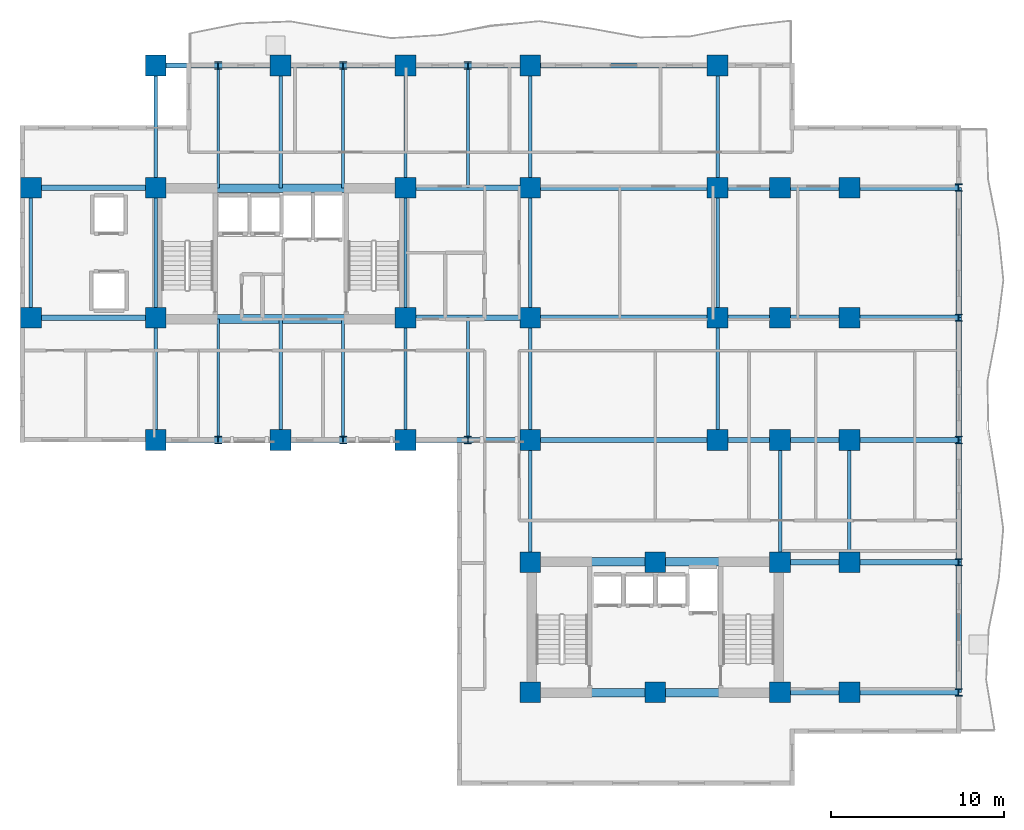
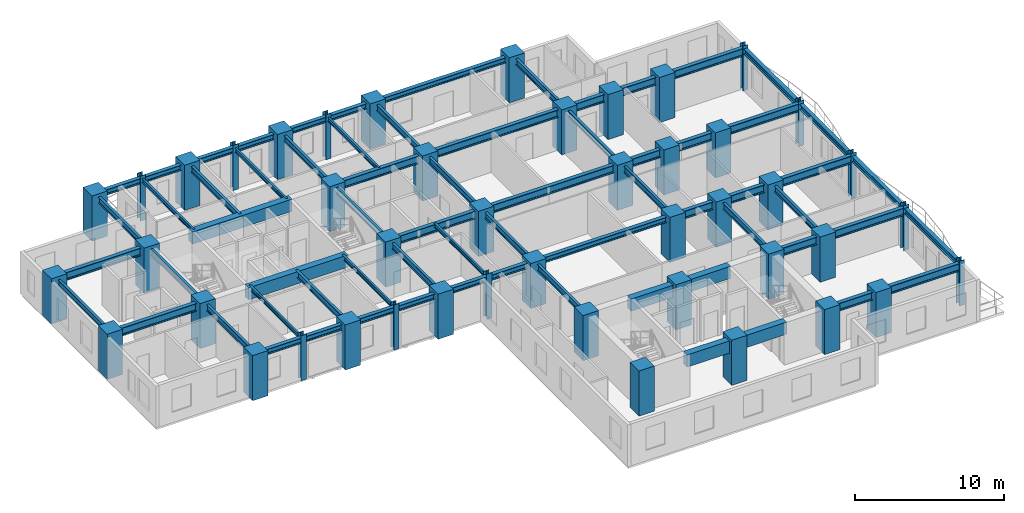
# One storey, part 1 of 11: 65 beams, 45 columns.
"""IFC4 building model written with IfcOpenShell, lengths in metres."""

import ifcopenshell
import ifcopenshell.guid

model = None  # the IFC model being written
_history = None  # IfcOwnerHistory: only IFC2X3 demands one
_inside = {}  # id of a spatial element -> (the spatial element, [elements in it])
_under = {}  # id of a project, library or spatial element -> (it, [spatial elements below it])
_declared = {}  # id of a project -> (the project, [libraries it declares])
_typed = {}  # id of a type object -> (the type object, [elements of that type])
_made_of = {}  # id of a material, layer set ... -> (it, [elements and type objects made of it])


def new_model(schema):
    """Start an empty IFC model of exactly this schema.

    Asked for "IFC4X3", IfcOpenShell would pick the latest addendum, in which some entities
    have other attributes; the version numbers below select the first issue.
    IFC2X3 requires an IfcOwnerHistory on every rooted entity: one is made here for all.
    """
    global model, _history
    if schema == "IFC4X3":
        model = ifcopenshell.file(schema_version=(4, 3, 0, 0))
    else:
        model = ifcopenshell.file(schema=schema)
    _inside.clear()
    _under.clear()
    _declared.clear()
    _typed.clear()
    _made_of.clear()
    _history = None
    if model.schema == "IFC2X3":
        org = make("IfcOrganization", Name="unknown")
        user = make(
            "IfcPersonAndOrganization",
            ThePerson=make("IfcPerson", FamilyName="unknown"),
            TheOrganization=org,
        )
        app = make(
            "IfcApplication",
            ApplicationDeveloper=org,
            Version="unknown",
            ApplicationFullName="unknown",
            ApplicationIdentifier="unknown",
        )
        _history = make(
            "IfcOwnerHistory",
            OwningUser=user,
            OwningApplication=app,
            ChangeAction="ADDED",
            CreationDate=0,
        )
    return model


def make(cls, **values):
    """One entity of the class cls with the attributes given. An attribute that is None is left unset."""
    return model.create_entity(
        cls, **{name: value for name, value in values.items() if value is not None}
    )


def rooted(cls, **values):
    """An entity with a GlobalId (a new one), such as an element, a storey or a relation."""
    return make(cls, GlobalId=ifcopenshell.guid.new(), OwnerHistory=_history, **values)


def si_unit(unit_type, name, prefix=None):
    """IfcSIUnit, for example si_unit("LENGTHUNIT", "METRE", prefix="MILLI")."""
    return make("IfcSIUnit", UnitType=unit_type, Prefix=prefix, Name=name)


def assignment(units):
    """IfcUnitAssignment: the units of a project."""
    return None if units is None else make("IfcUnitAssignment", Units=units)


def point(xyz):
    """IfcCartesianPoint."""
    return None if xyz is None else make("IfcCartesianPoint", Coordinates=xyz)


def direction(xyz):
    """IfcDirection."""
    return None if xyz is None else make("IfcDirection", DirectionRatios=xyz)


def frame(location, z_axis=None, x_axis=None):
    """IfcAxis2Placement3D, a coordinate frame: its origin and axes. An axis left out is left unset."""
    return make(
        "IfcAxis2Placement3D",
        Location=point(location),
        Axis=direction(z_axis),
        RefDirection=direction(x_axis),
    )


def frame_2d(location, x_axis=None):
    """IfcAxis2Placement2D, a coordinate frame in the plane: its origin and x axis."""
    return make(
        "IfcAxis2Placement2D", Location=point(location), RefDirection=direction(x_axis)
    )


def origin():
    """The frame at (0, 0, 0) with its axes left unset."""
    return frame((0.0, 0.0, 0.0))


def origin_2d():
    """The frame at (0, 0) in the plane with its x axis left unset."""
    return frame_2d((0.0, 0.0))


def place(relative_to, where):
    """IfcLocalPlacement: puts the frame where relative to a parent placement (None: the world)."""
    return make(
        "IfcLocalPlacement", PlacementRelTo=relative_to, RelativePlacement=where
    )


def context(
    kind, dimensions, precision=None, world=None, true_north=None, identifier=None
):
    """IfcGeometricRepresentationContext, for example the 3D "Model" context."""
    return make(
        "IfcGeometricRepresentationContext",
        ContextIdentifier=identifier,
        ContextType=kind,
        CoordinateSpaceDimension=dimensions,
        Precision=precision,
        WorldCoordinateSystem=world,
        TrueNorth=true_north,
    )


def subcontext(parent, identifier, kind, view, scale=None):
    """IfcGeometricRepresentationSubContext, for example "Body" below "Model"."""
    return make(
        "IfcGeometricRepresentationSubContext",
        ContextIdentifier=identifier,
        ContextType=kind,
        ParentContext=parent,
        TargetScale=scale,
        TargetView=view,
    )


def project(units=None, contexts=None):
    """IfcProject with its units and contexts."""
    return rooted(
        "IfcProject",
        Name="project",
        RepresentationContexts=contexts,
        UnitsInContext=assignment(units),
    )


def spatial(cls, under=None, at=None, **own):
    """A site, building, storey or space (cls), placed at a placement, below another one or the project."""
    s = rooted(cls, ObjectPlacement=at, **own)
    if under is not None:
        _under.setdefault(under.id(), (under, []))[1].append(s)
    return s


def profile(cls, at=None, kind="AREA", **sizes):
    """A parametric profile (cls). Its sizes go by their IFC names, for example OverallWidth=200.0."""
    return make(cls, ProfileType=kind, Position=at, **sizes)


def rectangle(**sizes):
    """IfcRectangleProfileDef."""
    return profile("IfcRectangleProfileDef", **sizes)


def i_section(**sizes):
    """IfcIShapeProfileDef."""
    return profile("IfcIShapeProfileDef", **sizes)


def extrude(swept, where, along, depth):
    """IfcExtrudedAreaSolid: the profile swept, set in the frame where, extruded along a direction by depth."""
    return make(
        "IfcExtrudedAreaSolid",
        SweptArea=swept,
        Position=where,
        ExtrudedDirection=direction(along),
        Depth=depth,
    )


def shape(context_of_items, identifier, shape_type, items):
    """IfcShapeRepresentation: the items that make up one representation, for example the "Body"."""
    return make(
        "IfcShapeRepresentation",
        ContextOfItems=context_of_items,
        RepresentationIdentifier=identifier,
        RepresentationType=shape_type,
        Items=items,
    )


def source(mapping_origin, context_of_items, identifier, shape_type, items):
    """IfcRepresentationMap: a shape defined once, which mapped items show again and again."""
    return make(
        "IfcRepresentationMap",
        MappingOrigin=mapping_origin,
        MappedRepresentation=shape(context_of_items, identifier, shape_type, items),
    )


def transform(
    local_origin,
    x_axis=None,
    y_axis=None,
    z_axis=None,
    scale=None,
    scale2=None,
    scale3=None,
    uniform=True,
):
    """IfcCartesianTransformationOperator3D, or its non-uniform kind. x_axis, y_axis, z_axis: its Axis1, 2, 3."""
    if uniform:
        return make(
            "IfcCartesianTransformationOperator3D",
            Axis1=direction(x_axis),
            Axis2=direction(y_axis),
            LocalOrigin=point(local_origin),
            Scale=scale,
            Axis3=direction(z_axis),
        )
    return make(
        "IfcCartesianTransformationOperator3DnonUniform",
        Axis1=direction(x_axis),
        Axis2=direction(y_axis),
        LocalOrigin=point(local_origin),
        Scale=scale,
        Axis3=direction(z_axis),
        Scale2=scale2,
        Scale3=scale3,
    )


def mapped(mapping_source, mapping_target):
    """IfcMappedItem: shows the shape of a source again, moved by a transform."""
    return make(
        "IfcMappedItem", MappingSource=mapping_source, MappingTarget=mapping_target
    )


def material(Name=None, Category=None):
    """IfcMaterial."""
    return make("IfcMaterial", Name=Name, Category=Category)


def material_profile(
    of_material, cross_section, Name=None, Category=None, Priority=None
):
    """IfcMaterialProfile: a cross section and its material."""
    return make(
        "IfcMaterialProfile",
        Name=Name,
        Material=of_material,
        Profile=cross_section,
        Priority=Priority,
        Category=Category,
    )


def profile_set(profiles, Name=None, composite=None):
    """IfcMaterialProfileSet."""
    return make(
        "IfcMaterialProfileSet",
        Name=Name,
        MaterialProfiles=profiles,
        CompositeProfile=composite,
    )


def made_of(thing, what):
    """Note that an element or type object is made of a material, layer set ...; save() writes the relation."""
    if what is not None:
        _made_of.setdefault(what.id(), (what, []))[1].append(thing)
    return thing


def type_object(cls, material=None, **own):
    """A type object (cls), such as IfcWallType, which elements share."""
    return made_of(rooted(cls, **own), material)


def element(
    cls,
    number,
    at=None,
    inside=None,
    cuts=None,
    type_object=None,
    material=None,
    context=None,
    identifier="Body",
    shape_type=None,
    held_by="IfcProductDefinitionShape",
    body=None,
    shapes=None,
    **own,
):
    """One element of the class cls, such as IfcWall. Its Tag is "e" and its number.

    at: its placement. inside: the storey or other place that contains it. cuts: it is an
    opening in that element (IfcRelVoidsElement). A single representation is given by context,
    identifier, shape_type and body (its items); several are given by shapes. held_by: the class
    of the entity that holds the representations. save() writes the other relations.
    """
    e = rooted(cls, Tag="e%d" % number, ObjectPlacement=at, **own)
    if body is not None:
        shapes = [shape(context, identifier, shape_type, body)]
    if shapes is not None:
        e.Representation = make(held_by, Representations=shapes)
    if inside is not None:
        _inside.setdefault(inside.id(), (inside, []))[1].append(e)
    if cuts is not None:
        rooted(
            "IfcRelVoidsElement", RelatingBuildingElement=cuts, RelatedOpeningElement=e
        )
    if type_object is not None:
        _typed.setdefault(type_object.id(), (type_object, []))[1].append(e)
    return made_of(e, material)


def aggregate(whole, parts):
    """IfcRelAggregates: a whole, such as a stair, and the parts it consists of."""
    return rooted("IfcRelAggregates", RelatingObject=whole, RelatedObjects=parts)


def save(model, path):
    """Write the relations noted so far, then the file.

    IfcRelAggregates (storeys below a building ...), IfcRelContainedInSpatialStructure (elements
    in a storey), IfcRelDefinesByType, IfcRelAssociatesMaterial and IfcRelDeclares: one each for
    every whole, place, type object, material and project.
    """
    for whole, parts in _under.values():
        aggregate(whole, parts)
    for where, things in _inside.values():
        rooted(
            "IfcRelContainedInSpatialStructure",
            RelatedElements=things,
            RelatingStructure=where,
        )
    for kind, things in _typed.values():
        rooted("IfcRelDefinesByType", RelatedObjects=things, RelatingType=kind)
    for what, things in _made_of.values():
        rooted("IfcRelAssociatesMaterial", RelatedObjects=things, RelatingMaterial=what)
    for by, libraries in _declared.values():
        rooted("IfcRelDeclares", RelatingContext=by, RelatedDefinitions=libraries)
    model.write(path)


model = new_model("IFC4")

# Units and contexts
model_context = context("Model", 3, precision=1e-05, world=origin(), true_north=direction((0.0, 1.0)))
body_context = subcontext(model_context, "Body", "Model", "MODEL_VIEW")
ifc_project = project(units=[si_unit("LENGTHUNIT", "METRE"), si_unit("AREAUNIT", "SQUARE_METRE"), si_unit("VOLUMEUNIT", "CUBIC_METRE"), si_unit("PLANEANGLEUNIT", "RADIAN"), si_unit("MASSUNIT", "GRAM", prefix="KILO")], contexts=[model_context])

# Site, building, storey
site_placement = place(None, origin())
site = spatial("IfcSite", under=ifc_project, at=site_placement, CompositionType="ELEMENT")
building_placement = place(site_placement, origin())
building = spatial("IfcBuilding", under=site, at=building_placement, Name="Kaliganga Portal Commons", CompositionType="ELEMENT")
storey_placement = place(building_placement, frame((0.0, 0.0, 111.89990234375)))
storey = spatial("IfcBuildingStorey", under=building, at=storey_placement, Name="L28", CompositionType="ELEMENT", Elevation=111.89990234375)

# Columns
ifc_material_1 = material(Name="Concrete C60/75", Category="concrete")
ifc_material_profile_1 = material_profile(ifc_material_1, rectangle(XDim=1.199951171875, YDim=1.199951171875, at=origin_2d()), Name="RC 1200x1200")
ifc_profile_set_1 = profile_set([ifc_material_profile_1], Name="Concrete C60/75")
column_type_1 = type_object("IfcColumnType", Name="COL-MEGA-Z2", PredefinedType="COLUMN", material=ifc_profile_set_1)
shared_shape_1 = source(origin(), body_context, "Body", "SweptSolid", [
    extrude(rectangle(XDim=1.199951171875, YDim=1.199951171875, at=origin_2d()), origin(), (0.0, 0.0, 1.0), 3.7001953125),
])
for number, where, z_axis, x_axis, name in (
    (1, (7.199951171875, 28.64990234375, 0.0), (0.0, 0.0, 1.0), (1.0, 0.0, 0.0), "Column MC-03 L28"),
    (2, (7.199951171875, 36.14990234375, 0.0), (0.0, 0.0, 1.0), (1.0, 0.0, 0.0), "Column MC-03 L28"),
    (3, (14.39990234375, 21.60009765625, 0.0), (0.0, 0.0, 1.0), (1.0, 0.0, 0.0), "Column MC-03 L28"),
    (4, (14.39990234375, 28.64990234375, 0.0), (0.0, 0.0, 1.0), (1.0, 0.0, 0.0), "Column MC-03 L28"),
    (5, (14.39990234375, 36.14990234375, 0.0), (0.0, 0.0, 1.0), (1.0, 0.0, 0.0), "Column MC-03 L28"),
    (6, (14.39990234375, 43.199951171875, 0.0), (0.0, 0.0, 1.0), (1.0, 0.0, 0.0), "Column MC-03 L28"),
    (7, (21.60009765625, 21.60009765625, 0.0), (0.0, 0.0, 1.0), (1.0, 0.0, 0.0), "Column MC-03 L28"),
    (8, (21.60009765625, 43.199951171875, 0.0), (0.0, 0.0, 1.0), (1.0, 0.0, 0.0), "Column MC-03 L28"),
    (9, (28.800048828125, 21.60009765625, 0.0), (0.0, 0.0, 1.0), (1.0, 0.0, 0.0), "Column MC-03 L28"),
    (10, (28.800048828125, 28.64990234375, 0.0), (0.0, 0.0, 1.0), (1.0, 0.0, 0.0), "Column MC-03 L28"),
    (11, (28.800048828125, 36.14990234375, 0.0), (0.0, 0.0, 1.0), (1.0, 0.0, 0.0), "Column MC-03 L28"),
    (12, (28.800048828125, 43.199951171875, 0.0), (0.0, 0.0, 1.0), (1.0, 0.0, 0.0), "Column MC-03 L28"),
    (13, (36.0, 21.60009765625, 0.0), (0.0, 0.0, 1.0), (1.0, 0.0, 0.0), "Column MC-03 L28"),
    (14, (36.0, 43.199951171875, 0.0), (0.0, 0.0, 1.0), (1.0, 0.0, 0.0), "Column MC-03 L28"),
    (15, (36.0, 28.64990234375, 0.0), (0.0, 0.0, 1.0), (1.0, 0.0, 0.0), "Column MC-03 L28"),
    (16, (36.0, 36.14990234375, 0.0), (0.0, 0.0, 1.0), (1.0, 0.0, 0.0), "Column MC-03 L28"),
    (17, (46.800048828125, 21.60009765625, 0.0), (0.0, 0.0, 1.0), (1.0, 0.0, 0.0), "Column MC-03 L28"),
    (18, (46.800048828125, 28.64990234375, 0.0), (0.0, 0.0, 1.0), (1.0, 0.0, 0.0), "Column MC-03 L28"),
    (19, (46.800048828125, 36.14990234375, 0.0), (0.0, 0.0, 1.0), (1.0, 0.0, 0.0), "Column MC-03 L28"),
    (20, (46.800048828125, 43.199951171875, 0.0), (0.0, 0.0, 1.0), (1.0, 0.0, 0.0), "Column MC-03 L28"),
    (21, (36.0, 7.050048828125, 0.0), (0.0, 0.0, 1.0), (1.0, 0.0, 0.0), "Column MC-03 L28"),
    (22, (36.0, 14.550048828125, 0.0), (0.0, 0.0, 1.0), (1.0, 0.0, 0.0), "Column MC-03 L28"),
    (23, (43.199951171875, 7.050048828125, 0.0), (0.0, 0.0, 1.0), (1.0, 0.0, 0.0), "Column MC-03 L28"),
    (24, (43.199951171875, 14.550048828125, 0.0), (0.0, 0.0, 1.0), (1.0, 0.0, 0.0), "Column MC-03 L28"),
    (25, (50.39990234375, 7.050048828125, 0.0), (0.0, 0.0, 1.0), (1.0, 0.0, 0.0), "Column MC-03 L28"),
    (26, (50.39990234375, 14.550048828125, 0.0), (0.0, 0.0, 1.0), (1.0, 0.0, 0.0), "Column MC-03 L28"),
    (27, (50.39990234375, 21.60009765625, 0.0), (0.0, 0.0, 1.0), (1.0, 0.0, 0.0), "Column MC-03 L28"),
    (28, (50.39990234375, 28.64990234375, 0.0), (0.0, 0.0, 1.0), (1.0, 0.0, 0.0), "Column MC-03 L28"),
    (29, (50.39990234375, 36.14990234375, 0.0), (0.0, 0.0, 1.0), (1.0, 0.0, 0.0), "Column MC-03 L28"),
    (30, (54.39990234375, 7.050048828125, 0.0), (0.0, 0.0, 1.0), (1.0, 0.0, 0.0), "Column MC-03 L28"),
    (31, (54.39990234375, 14.550048828125, 0.0), (0.0, 0.0, 1.0), (1.0, 0.0, 0.0), "Column MC-03 L28"),
    (32, (54.39990234375, 21.60009765625, 0.0), (0.0, 0.0, 1.0), (1.0, 0.0, 0.0), "Column MC-03 L28"),
    (33, (54.39990234375, 28.64990234375, 0.0), (0.0, 0.0, 1.0), (1.0, 0.0, 0.0), "Column MC-03 L28"),
    (34, (54.39990234375, 36.14990234375, 0.0), (0.0, 0.0, 1.0), (1.0, 0.0, 0.0), "Column MC-03 L28"),
):
    element("IfcColumn", number, at=place(storey_placement, frame(where, z_axis=z_axis, x_axis=x_axis)), inside=storey, type_object=column_type_1, Name=name, PredefinedType="COLUMN", context=body_context, shape_type="MappedRepresentation", body=[
        mapped(shared_shape_1, transform((0.0, 0.0, 0.0), x_axis=(1.0, 0.0, 0.0), y_axis=(0.0, 1.0, 0.0), z_axis=(0.0, 0.0, 1.0), scale=1.0)),
    ])
ifc_material_2 = material(Name="Structural steel S460M", Category="steel")
ifc_material_profile_2 = material_profile(ifc_material_2, i_section(OverallWidth=0.408935546875, OverallDepth=0.429931640625, WebThickness=0.0244140625, FlangeThickness=0.033447265625, FilletRadius=0.014892578125, at=origin_2d()), Name="HD 400x421")
ifc_profile_set_2 = profile_set([ifc_material_profile_2], Name="Structural steel S460M wide-flange")
column_type_2 = type_object("IfcColumnType", Name="COL-TUBE-B2", PredefinedType="COLUMN", material=ifc_profile_set_2)
shared_shape_2 = source(origin(), body_context, "Body", "SweptSolid", [
    extrude(i_section(OverallWidth=0.408935546875, OverallDepth=0.429931640625, WebThickness=0.0244140625, FlangeThickness=0.033447265625, FilletRadius=0.014892578125, at=origin_2d()), origin(), (0.0, 0.0, 1.0), 3.7001953125),
])
for number, where, z_axis, x_axis, name in (
    (35, (18.0, 21.60009765625, 0.0), (0.0, 0.0, 1.0), (1.0, 0.0, 0.0), "Column TC-02 L28"),
    (36, (18.0, 43.199951171875, 0.0), (0.0, 0.0, 1.0), (1.0, 0.0, 0.0), "Column TC-02 L28"),
    (37, (25.199951171875, 21.60009765625, 0.0), (0.0, 0.0, 1.0), (1.0, 0.0, 0.0), "Column TC-02 L28"),
    (38, (25.199951171875, 43.199951171875, 0.0), (0.0, 0.0, 1.0), (1.0, 0.0, 0.0), "Column TC-02 L28"),
    (39, (32.39990234375, 21.60009765625, 0.0), (0.0, 0.0, 1.0), (1.0, 0.0, 0.0), "Column TC-02 L28"),
    (40, (32.39990234375, 43.199951171875, 0.0), (0.0, 0.0, 1.0), (1.0, 0.0, 0.0), "Column TC-02 L28"),
    (41, (60.699951171875, 7.050048828125, 0.0), (0.0, 0.0, 1.0), (1.0, 0.0, 0.0), "Column TC-02 L28"),
    (42, (60.699951171875, 14.550048828125, 0.0), (0.0, 0.0, 1.0), (1.0, 0.0, 0.0), "Column TC-02 L28"),
    (43, (60.699951171875, 21.60009765625, 0.0), (0.0, 0.0, 1.0), (1.0, 0.0, 0.0), "Column TC-02 L28"),
    (44, (60.699951171875, 28.64990234375, 0.0), (0.0, 0.0, 1.0), (1.0, 0.0, 0.0), "Column TC-02 L28"),
    (45, (60.699951171875, 36.14990234375, 0.0), (0.0, 0.0, 1.0), (1.0, 0.0, 0.0), "Column TC-02 L28"),
):
    element("IfcColumn", number, at=place(storey_placement, frame(where, z_axis=z_axis, x_axis=x_axis)), inside=storey, type_object=column_type_2, Name=name, PredefinedType="COLUMN", context=body_context, shape_type="MappedRepresentation", body=[
        mapped(shared_shape_2, transform((0.0, 0.0, 0.0), x_axis=(1.0, 0.0, 0.0), y_axis=(0.0, 1.0, 0.0), z_axis=(0.0, 0.0, 1.0), scale=1.0)),
    ])

# Beams
ifc_material_3 = material(Name="Concrete C50/60", Category="concrete")
ifc_material_profile_3 = material_profile(ifc_material_3, rectangle(XDim=0.5, YDim=1.0, at=origin_2d()), Name="RC 500x1000")
ifc_profile_set_3 = profile_set([ifc_material_profile_3], Name="Concrete C50/60")
beam_type_1 = type_object("IfcBeamType", Name="BM-CPL-1000", PredefinedType="LINTEL", material=ifc_profile_set_3)
shared_shape_3 = source(origin(), body_context, "Body", "SweptSolid", [
    extrude(rectangle(XDim=0.5, YDim=1.0, at=origin_2d()), origin(), (0.0, 0.0, 1.0), 7.739990234375),
])
for number, where, z_axis, x_axis, name in (
    (46, (17.72998046875, 28.574951171875, 2.9501953125), (1.0, 0.0, 0.0), (0.0, 1.0, 0.0), "BM CPL COREA L28 S"),
    (47, (17.72998046875, 36.125, 2.9501953125), (1.0, 0.0, 0.0), (0.0, 1.0, 0.0), "BM CPL COREA L28 N"),
    (48, (39.330078125, 7.02490234375, 2.9501953125), (1.0, 0.0, 0.0), (0.0, 1.0, 0.0), "BM CPL COREB L28 S"),
    (49, (39.330078125, 14.574951171875, 2.9501953125), (1.0, 0.0, 0.0), (0.0, 1.0, 0.0), "BM CPL COREB L28 N"),
):
    element("IfcBeam", number, at=place(storey_placement, frame(where, z_axis=z_axis, x_axis=x_axis)), inside=storey, type_object=beam_type_1, Name=name, PredefinedType="LINTEL", context=body_context, shape_type="MappedRepresentation", body=[
        mapped(shared_shape_3, transform((0.0, 0.0, 0.0), x_axis=(1.0, 0.0, 0.0), y_axis=(0.0, 1.0, 0.0), z_axis=(0.0, 0.0, 1.0), scale=1.0)),
    ])
ifc_material_4 = material(Name="Structural steel S355J2", Category="steel")
ifc_material_profile_4 = material_profile(ifc_material_4, i_section(OverallWidth=0.300048828125, OverallDepth=0.64990234375, WebThickness=0.01611328125, FlangeThickness=0.031005859375, FilletRadius=0.027099609375, at=origin_2d()), Name="HE 650 B")
ifc_profile_set_4 = profile_set([ifc_material_profile_4], Name="Structural steel S355J2 wide-flange")
beam_type_2 = type_object("IfcBeamType", Name="BM-GIRD-650", PredefinedType="USERDEFINED", material=ifc_profile_set_4)
shared_shape_4 = source(origin(), body_context, "Body", "SweptSolid", [
    extrude(i_section(OverallWidth=0.300048828125, OverallDepth=0.64990234375, WebThickness=0.01611328125, FlangeThickness=0.031005859375, FilletRadius=0.027099609375, at=origin_2d()), origin(), (0.0, 0.0, 1.0), 3.599853515625),
])
for number, where, z_axis, x_axis, name in (
    (50, (46.800048828125, 21.60009765625, 3.125), (1.0, 0.0, 0.0), (0.0, 1.0, 0.0), "BM G L28 BKE216 1"),
    (51, (46.800048828125, 28.64990234375, 3.125), (1.0, 0.0, 0.0), (0.0, 1.0, 0.0), "BM G L28 BKE286 1"),
    (52, (46.800048828125, 36.14990234375, 3.125), (1.0, 0.0, 0.0), (0.0, 1.0, 0.0), "BM G L28 BKE362 1"),
):
    element("IfcBeam", number, at=place(storey_placement, frame(where, z_axis=z_axis, x_axis=x_axis)), inside=storey, type_object=beam_type_2, Name=name, ObjectType="GIRDER", PredefinedType="USERDEFINED", context=body_context, shape_type="MappedRepresentation", body=[
        mapped(shared_shape_4, transform((0.0, 0.0, 0.0), x_axis=(1.0, 0.0, 0.0), y_axis=(0.0, 1.0, 0.0), z_axis=(0.0, 0.0, 1.0), scale=1.0)),
    ])
shared_shape_5 = source(origin(), body_context, "Body", "SweptSolid", [
    extrude(i_section(OverallWidth=0.300048828125, OverallDepth=0.64990234375, WebThickness=0.01611328125, FlangeThickness=0.031005859375, FilletRadius=0.027099609375, at=origin_2d()), origin(), (0.0, 0.0, 1.0), 7.199951171875),
])
for number, where, z_axis, x_axis, name in (
    (53, (7.199951171875, 28.64990234375, 3.125), (1.0, 0.0, 0.0), (0.0, 1.0, 0.0), "BM G L28 WAH_S 1"),
    (54, (7.199951171875, 36.14990234375, 3.125), (1.0, 0.0, 0.0), (0.0, 1.0, 0.0), "BM G L28 WAH_N 1"),
    (55, (28.800048828125, 28.64990234375, 3.125), (1.0, 0.0, 0.0), (0.0, 1.0, 0.0), "BM G L28 WAE_S 1"),
    (56, (28.800048828125, 36.14990234375, 3.125), (1.0, 0.0, 0.0), (0.0, 1.0, 0.0), "BM G L28 WAE_N 1"),
):
    element("IfcBeam", number, at=place(storey_placement, frame(where, z_axis=z_axis, x_axis=x_axis)), inside=storey, type_object=beam_type_2, Name=name, ObjectType="GIRDER", PredefinedType="USERDEFINED", context=body_context, shape_type="MappedRepresentation", body=[
        mapped(shared_shape_5, transform((0.0, 0.0, 0.0), x_axis=(1.0, 0.0, 0.0), y_axis=(0.0, 1.0, 0.0), z_axis=(0.0, 0.0, 1.0), scale=1.0)),
    ])
shared_shape_6 = source(origin(), body_context, "Body", "SweptSolid", [
    extrude(i_section(OverallWidth=0.300048828125, OverallDepth=0.64990234375, WebThickness=0.01611328125, FlangeThickness=0.031005859375, FilletRadius=0.027099609375, at=origin_2d()), origin(), (0.0, 0.0, 1.0), 10.800048828125),
])
for number, where, z_axis, x_axis, name in (
    (57, (36.0, 28.64990234375, 3.125), (1.0, 0.0, 0.0), (0.0, 1.0, 0.0), "BM G L28 WAE_S 2"),
    (58, (36.0, 36.14990234375, 3.125), (1.0, 0.0, 0.0), (0.0, 1.0, 0.0), "BM G L28 WAE_N 2"),
):
    element("IfcBeam", number, at=place(storey_placement, frame(where, z_axis=z_axis, x_axis=x_axis)), inside=storey, type_object=beam_type_2, Name=name, ObjectType="GIRDER", PredefinedType="USERDEFINED", context=body_context, shape_type="MappedRepresentation", body=[
        mapped(shared_shape_6, transform((0.0, 0.0, 0.0), x_axis=(1.0, 0.0, 0.0), y_axis=(0.0, 1.0, 0.0), z_axis=(0.0, 0.0, 1.0), scale=1.0)),
    ])
shared_shape_7 = source(origin(), body_context, "Body", "SweptSolid", [
    extrude(i_section(OverallWidth=0.300048828125, OverallDepth=0.64990234375, WebThickness=0.01611328125, FlangeThickness=0.031005859375, FilletRadius=0.027099609375, at=origin_2d()), origin(), (0.0, 0.0, 1.0), 4.0),
])
for number, where, z_axis, x_axis, name in (
    (59, (50.39990234375, 7.050048828125, 3.125), (1.0, 0.0, 0.0), (0.0, 1.0, 0.0), "BM G L28 BKE70 1"),
    (60, (50.39990234375, 14.550048828125, 3.125), (1.0, 0.0, 0.0), (0.0, 1.0, 0.0), "BM G L28 BKE146 1"),
    (61, (50.39990234375, 21.60009765625, 3.125), (1.0, 0.0, 0.0), (0.0, 1.0, 0.0), "BM G L28 BKE216 2"),
    (62, (50.39990234375, 28.64990234375, 3.125), (1.0, 0.0, 0.0), (0.0, 1.0, 0.0), "BM G L28 BKE286 2"),
    (63, (50.39990234375, 36.14990234375, 3.125), (1.0, 0.0, 0.0), (0.0, 1.0, 0.0), "BM G L28 BKE362 2"),
):
    element("IfcBeam", number, at=place(storey_placement, frame(where, z_axis=z_axis, x_axis=x_axis)), inside=storey, type_object=beam_type_2, Name=name, ObjectType="GIRDER", PredefinedType="USERDEFINED", context=body_context, shape_type="MappedRepresentation", body=[
        mapped(shared_shape_7, transform((0.0, 0.0, 0.0), x_axis=(1.0, 0.0, 0.0), y_axis=(0.0, 1.0, 0.0), z_axis=(0.0, 0.0, 1.0), scale=1.0)),
    ])
ifc_material_profile_5 = material_profile(ifc_material_4, i_section(OverallWidth=0.199951171875, OverallDepth=0.5, WebThickness=0.01025390625, FlangeThickness=0.01611328125, FilletRadius=0.02099609375, at=origin_2d()), Name="IPE 500")
ifc_profile_set_5 = profile_set([ifc_material_profile_5], Name="Structural steel S355J2 wide-flange")
beam_type_3 = type_object("IfcBeamType", Name="BM-FLR-500", PredefinedType="BEAM", material=ifc_profile_set_5)
shared_shape_8 = source(origin(), body_context, "Body", "SweptSolid", [
    extrude(i_section(OverallWidth=0.199951171875, OverallDepth=0.5, WebThickness=0.01025390625, FlangeThickness=0.01611328125, FilletRadius=0.02099609375, at=origin_2d()), origin(), (0.0, 0.0, 1.0), 7.5),
])
for number, where, z_axis, x_axis, name in (
    (64, (7.199951171875, 28.64990234375, 3.2001953125), (0.0, 1.0, 0.0), (-1.0, 0.0, 0.0), "BM G L28 AW72"),
    (65, (14.39990234375, 28.64990234375, 3.2001953125), (0.0, 1.0, 0.0), (-1.0, 0.0, 0.0), "BM G L28 AM144"),
    (66, (28.800048828125, 28.64990234375, 3.2001953125), (0.0, 1.0, 0.0), (-1.0, 0.0, 0.0), "BM G L28 AM288"),
    (67, (36.0, 28.64990234375, 3.2001953125), (0.0, 1.0, 0.0), (-1.0, 0.0, 0.0), "BM G L28 AM360"),
    (68, (46.800048828125, 28.64990234375, 3.2001953125), (0.0, 1.0, 0.0), (-1.0, 0.0, 0.0), "BM G L28 AM468"),
):
    element("IfcBeam", number, at=place(storey_placement, frame(where, z_axis=z_axis, x_axis=x_axis)), inside=storey, type_object=beam_type_3, Name=name, PredefinedType="BEAM", context=body_context, shape_type="MappedRepresentation", body=[
        mapped(shared_shape_8, transform((0.0, 0.0, 0.0), x_axis=(1.0, 0.0, 0.0), y_axis=(0.0, 1.0, 0.0), z_axis=(0.0, 0.0, 1.0), scale=1.0)),
    ])
shared_shape_9 = source(origin(), body_context, "Body", "SweptSolid", [
    extrude(i_section(OverallWidth=0.199951171875, OverallDepth=0.5, WebThickness=0.01025390625, FlangeThickness=0.01611328125, FilletRadius=0.02099609375, at=origin_2d()), origin(), (0.0, 0.0, 1.0), 7.050048828125),
])
for number, where, z_axis, x_axis, name in (
    (69, (14.39990234375, 36.14990234375, 3.2001953125), (0.0, 1.0, 0.0), (-1.0, 0.0, 0.0), "BM G L28 AN144"),
    (70, (28.800048828125, 36.14990234375, 3.2001953125), (0.0, 1.0, 0.0), (-1.0, 0.0, 0.0), "BM G L28 AN288"),
    (71, (36.0, 36.14990234375, 3.2001953125), (0.0, 1.0, 0.0), (-1.0, 0.0, 0.0), "BM G L28 AN360"),
    (72, (46.800048828125, 36.14990234375, 3.2001953125), (0.0, 1.0, 0.0), (-1.0, 0.0, 0.0), "BM G L28 AN468"),
    (73, (36.0, 14.550048828125, 3.2001953125), (0.0, 1.0, 0.0), (-1.0, 0.0, 0.0), "BM G L28 BNK360"),
    (74, (50.39990234375, 14.550048828125, 3.2001953125), (0.0, 1.0, 0.0), (-1.0, 0.0, 0.0), "BM G L28 BNK504"),
    (75, (54.39990234375, 14.550048828125, 3.2001953125), (0.0, 1.0, 0.0), (-1.0, 0.0, 0.0), "BM G L28 BNK544"),
):
    element("IfcBeam", number, at=place(storey_placement, frame(where, z_axis=z_axis, x_axis=x_axis)), inside=storey, type_object=beam_type_3, Name=name, PredefinedType="BEAM", context=body_context, shape_type="MappedRepresentation", body=[
        mapped(shared_shape_9, transform((0.0, 0.0, 0.0), x_axis=(1.0, 0.0, 0.0), y_axis=(0.0, 1.0, 0.0), z_axis=(0.0, 0.0, 1.0), scale=1.0)),
    ])
shared_shape_10 = source(origin(), body_context, "Body", "SweptSolid", [
    extrude(i_section(OverallWidth=0.199951171875, OverallDepth=0.5, WebThickness=0.01025390625, FlangeThickness=0.01611328125, FilletRadius=0.02099609375, at=origin_2d()), origin(), (0.0, 0.0, 1.0), 7.0498046875),
])
for number, where, z_axis, x_axis, name in (
    (76, (14.39990234375, 21.60009765625, 3.2001953125), (0.0, 1.0, 0.0), (-1.0, 0.0, 0.0), "BM G L28 AS144"),
    (77, (28.800048828125, 21.60009765625, 3.2001953125), (0.0, 1.0, 0.0), (-1.0, 0.0, 0.0), "BM G L28 AS288"),
    (78, (36.0, 21.60009765625, 3.2001953125), (0.0, 1.0, 0.0), (-1.0, 0.0, 0.0), "BM G L28 AS360"),
    (79, (46.800048828125, 21.60009765625, 3.2001953125), (0.0, 1.0, 0.0), (-1.0, 0.0, 0.0), "BM G L28 AS468"),
):
    element("IfcBeam", number, at=place(storey_placement, frame(where, z_axis=z_axis, x_axis=x_axis)), inside=storey, type_object=beam_type_3, Name=name, PredefinedType="BEAM", context=body_context, shape_type="MappedRepresentation", body=[
        mapped(shared_shape_10, transform((0.0, 0.0, 0.0), x_axis=(1.0, 0.0, 0.0), y_axis=(0.0, 1.0, 0.0), z_axis=(0.0, 0.0, 1.0), scale=1.0)),
    ])
shared_shape_11 = source(origin(), body_context, "Body", "SweptSolid", [
    extrude(i_section(OverallWidth=0.199951171875, OverallDepth=0.5, WebThickness=0.01025390625, FlangeThickness=0.01611328125, FilletRadius=0.02099609375, at=origin_2d()), origin(), (0.0, 0.0, 1.0), 7.074951171875),
])
beam_1_placement = place(storey_placement, frame((21.60009765625, 36.125, 3.2001953125), z_axis=(0.0, 1.0, 0.0), x_axis=(-1.0, 0.0, 0.0)))
element("IfcBeam", 80, at=beam_1_placement, inside=storey, type_object=beam_type_3, Name="BM G L28 AN216", PredefinedType="BEAM", context=body_context, shape_type="MappedRepresentation", body=[
    mapped(shared_shape_11, transform((0.0, 0.0, 0.0), x_axis=(1.0, 0.0, 0.0), y_axis=(0.0, 1.0, 0.0), z_axis=(0.0, 0.0, 1.0), scale=1.0)),
])
shared_shape_12 = source(origin(), body_context, "Body", "SweptSolid", [
    extrude(i_section(OverallWidth=0.199951171875, OverallDepth=0.5, WebThickness=0.01025390625, FlangeThickness=0.01611328125, FilletRadius=0.02099609375, at=origin_2d()), origin(), (0.0, 0.0, 1.0), 6.974853515625),
])
beam_2_placement = place(storey_placement, frame((21.60009765625, 21.60009765625, 3.2001953125), z_axis=(0.0, 1.0, 0.0), x_axis=(-1.0, 0.0, 0.0)))
element("IfcBeam", 81, at=beam_2_placement, inside=storey, type_object=beam_type_3, Name="BM G L28 AS216", PredefinedType="BEAM", context=body_context, shape_type="MappedRepresentation", body=[
    mapped(shared_shape_12, transform((0.0, 0.0, 0.0), x_axis=(1.0, 0.0, 0.0), y_axis=(0.0, 1.0, 0.0), z_axis=(0.0, 0.0, 1.0), scale=1.0)),
])
shared_shape_13 = source(origin(), body_context, "Body", "SweptSolid", [
    extrude(i_section(OverallWidth=0.300048828125, OverallDepth=0.64990234375, WebThickness=0.01611328125, FlangeThickness=0.031005859375, FilletRadius=0.027099609375, at=origin_2d()), origin(), (0.0, 0.0, 1.0), 6.300048828125),
])
for number, where, z_axis, x_axis, name in (
    (82, (54.39990234375, 7.050048828125, 3.125), (1.0, 0.0, 0.0), (0.0, 1.0, 0.0), "BM G L28 BKE70 2"),
    (83, (54.39990234375, 14.550048828125, 3.125), (1.0, 0.0, 0.0), (0.0, 1.0, 0.0), "BM G L28 BKE146 2"),
    (84, (54.39990234375, 21.60009765625, 3.125), (1.0, 0.0, 0.0), (0.0, 1.0, 0.0), "BM G L28 BKE216 3"),
    (85, (54.39990234375, 28.64990234375, 3.125), (1.0, 0.0, 0.0), (0.0, 1.0, 0.0), "BM G L28 BKE286 3"),
    (86, (54.39990234375, 36.14990234375, 3.125), (1.0, 0.0, 0.0), (0.0, 1.0, 0.0), "BM G L28 BKE362 3"),
):
    element("IfcBeam", number, at=place(storey_placement, frame(where, z_axis=z_axis, x_axis=x_axis)), inside=storey, type_object=beam_type_2, Name=name, ObjectType="GIRDER", PredefinedType="USERDEFINED", context=body_context, shape_type="MappedRepresentation", body=[
        mapped(shared_shape_13, transform((0.0, 0.0, 0.0), x_axis=(1.0, 0.0, 0.0), y_axis=(0.0, 1.0, 0.0), z_axis=(0.0, 0.0, 1.0), scale=1.0)),
    ])
ifc_material_profile_6 = material_profile(ifc_material_4, i_section(OverallWidth=0.300048828125, OverallDepth=0.449951171875, WebThickness=0.013916015625, FlangeThickness=0.02587890625, FilletRadius=0.027099609375, at=origin_2d()), Name="HE 450 B")
ifc_profile_set_6 = profile_set([ifc_material_profile_6], Name="Structural steel S355J2 wide-flange")
beam_type_4 = type_object("IfcBeamType", Name="BM-SPAND-450", PredefinedType="SPANDREL", material=ifc_profile_set_6)
shared_shape_14 = source(origin(), body_context, "Body", "SweptSolid", [
    extrude(i_section(OverallWidth=0.300048828125, OverallDepth=0.449951171875, WebThickness=0.013916015625, FlangeThickness=0.02587890625, FilletRadius=0.027099609375, at=origin_2d()), origin(), (0.0, 0.0, 1.0), 3.60009765625),
])
for number, where, z_axis, x_axis, name in (
    (87, (14.39990234375, 43.199951171875, 3.22509765625), (1.0, 0.0, 0.0), (0.0, 1.0, 0.0), "BM SP L28 AN 1"),
    (88, (18.0, 43.199951171875, 3.22509765625), (1.0, 0.0, 0.0), (0.0, 1.0, 0.0), "BM SP L28 AN 2"),
    (89, (25.199951171875, 43.199951171875, 3.22509765625), (1.0, 0.0, 0.0), (0.0, 1.0, 0.0), "BM SP L28 AN 4"),
    (90, (32.39990234375, 43.199951171875, 3.22509765625), (1.0, 0.0, 0.0), (0.0, 1.0, 0.0), "BM SP L28 AN 6"),
    (91, (14.39990234375, 21.60009765625, 3.22509765625), (1.0, 0.0, 0.0), (0.0, 1.0, 0.0), "BM SP L28 AS 1"),
    (92, (18.0, 21.60009765625, 3.22509765625), (1.0, 0.0, 0.0), (0.0, 1.0, 0.0), "BM SP L28 AS 2"),
    (93, (25.199951171875, 21.60009765625, 3.22509765625), (1.0, 0.0, 0.0), (0.0, 1.0, 0.0), "BM SP L28 AS 4"),
    (94, (32.39990234375, 21.60009765625, 3.22509765625), (1.0, 0.0, 0.0), (0.0, 1.0, 0.0), "BM SP L28 AS 6"),
):
    element("IfcBeam", number, at=place(storey_placement, frame(where, z_axis=z_axis, x_axis=x_axis)), inside=storey, type_object=beam_type_4, Name=name, PredefinedType="SPANDREL", context=body_context, shape_type="MappedRepresentation", body=[
        mapped(shared_shape_14, transform((0.0, 0.0, 0.0), x_axis=(1.0, 0.0, 0.0), y_axis=(0.0, 1.0, 0.0), z_axis=(0.0, 0.0, 1.0), scale=1.0)),
    ])
shared_shape_15 = source(origin(), body_context, "Body", "SweptSolid", [
    extrude(i_section(OverallWidth=0.300048828125, OverallDepth=0.449951171875, WebThickness=0.013916015625, FlangeThickness=0.02587890625, FilletRadius=0.027099609375, at=origin_2d()), origin(), (0.0, 0.0, 1.0), 3.599853515625),
])
for number, where, z_axis, x_axis, name in (
    (95, (21.60009765625, 43.199951171875, 3.22509765625), (1.0, 0.0, 0.0), (0.0, 1.0, 0.0), "BM SP L28 AN 3"),
    (96, (28.800048828125, 43.199951171875, 3.22509765625), (1.0, 0.0, 0.0), (0.0, 1.0, 0.0), "BM SP L28 AN 5"),
    (97, (21.60009765625, 21.60009765625, 3.22509765625), (1.0, 0.0, 0.0), (0.0, 1.0, 0.0), "BM SP L28 AS 3"),
    (98, (28.800048828125, 21.60009765625, 3.22509765625), (1.0, 0.0, 0.0), (0.0, 1.0, 0.0), "BM SP L28 AS 5"),
):
    element("IfcBeam", number, at=place(storey_placement, frame(where, z_axis=z_axis, x_axis=x_axis)), inside=storey, type_object=beam_type_4, Name=name, PredefinedType="SPANDREL", context=body_context, shape_type="MappedRepresentation", body=[
        mapped(shared_shape_15, transform((0.0, 0.0, 0.0), x_axis=(1.0, 0.0, 0.0), y_axis=(0.0, 1.0, 0.0), z_axis=(0.0, 0.0, 1.0), scale=1.0)),
    ])
shared_shape_16 = source(origin(), body_context, "Body", "SweptSolid", [
    extrude(i_section(OverallWidth=0.300048828125, OverallDepth=0.449951171875, WebThickness=0.013916015625, FlangeThickness=0.02587890625, FilletRadius=0.027099609375, at=origin_2d()), origin(), (0.0, 0.0, 1.0), 10.800048828125),
])
for number, where, z_axis, x_axis, name in (
    (99, (36.0, 43.199951171875, 3.22509765625), (1.0, 0.0, 0.0), (0.0, 1.0, 0.0), "BM SP L28 AN 7"),
    (100, (36.0, 21.60009765625, 3.22509765625), (1.0, 0.0, 0.0), (0.0, 1.0, 0.0), "BM SP L28 AS 7"),
):
    element("IfcBeam", number, at=place(storey_placement, frame(where, z_axis=z_axis, x_axis=x_axis)), inside=storey, type_object=beam_type_4, Name=name, PredefinedType="SPANDREL", context=body_context, shape_type="MappedRepresentation", body=[
        mapped(shared_shape_16, transform((0.0, 0.0, 0.0), x_axis=(1.0, 0.0, 0.0), y_axis=(0.0, 1.0, 0.0), z_axis=(0.0, 0.0, 1.0), scale=1.0)),
    ])
ifc_material_profile_7 = material_profile(ifc_material_4, i_section(OverallWidth=0.159912109375, OverallDepth=0.330078125, WebThickness=0.007568359375, FlangeThickness=0.011474609375, FilletRadius=0.01806640625, at=origin_2d()), Name="IPE 330")
ifc_profile_set_7 = profile_set([ifc_material_profile_7], Name="Structural steel S355J2 wide-flange")
beam_type_5 = type_object("IfcBeamType", Name="BM-JST-330", PredefinedType="JOIST", material=ifc_profile_set_7)
shared_shape_17 = source(origin(), body_context, "Body", "SweptSolid", [
    extrude(i_section(OverallWidth=0.159912109375, OverallDepth=0.330078125, WebThickness=0.007568359375, FlangeThickness=0.011474609375, FilletRadius=0.01806640625, at=origin_2d()), origin(), (0.0, 0.0, 1.0), 7.074951171875),
])
for number, where, z_axis, x_axis, name in (
    (101, (18.0, 36.125, 3.28515625), (0.0, 1.0, 0.0), (-1.0, 0.0, 0.0), "BM G L28 AN180"),
    (102, (25.199951171875, 36.125, 3.28515625), (0.0, 1.0, 0.0), (-1.0, 0.0, 0.0), "BM G L28 AN252"),
):
    element("IfcBeam", number, at=place(storey_placement, frame(where, z_axis=z_axis, x_axis=x_axis)), inside=storey, type_object=beam_type_5, Name=name, PredefinedType="JOIST", context=body_context, shape_type="MappedRepresentation", body=[
        mapped(shared_shape_17, transform((0.0, 0.0, 0.0), x_axis=(1.0, 0.0, 0.0), y_axis=(0.0, 1.0, 0.0), z_axis=(0.0, 0.0, 1.0), scale=1.0)),
    ])
shared_shape_18 = source(origin(), body_context, "Body", "SweptSolid", [
    extrude(i_section(OverallWidth=0.159912109375, OverallDepth=0.330078125, WebThickness=0.007568359375, FlangeThickness=0.011474609375, FilletRadius=0.01806640625, at=origin_2d()), origin(), (0.0, 0.0, 1.0), 6.974853515625),
])
for number, where, z_axis, x_axis, name in (
    (103, (18.0, 21.60009765625, 3.28515625), (0.0, 1.0, 0.0), (-1.0, 0.0, 0.0), "BM G L28 AS180"),
    (104, (25.199951171875, 21.60009765625, 3.28515625), (0.0, 1.0, 0.0), (-1.0, 0.0, 0.0), "BM G L28 AS252"),
):
    element("IfcBeam", number, at=place(storey_placement, frame(where, z_axis=z_axis, x_axis=x_axis)), inside=storey, type_object=beam_type_5, Name=name, PredefinedType="JOIST", context=body_context, shape_type="MappedRepresentation", body=[
        mapped(shared_shape_18, transform((0.0, 0.0, 0.0), x_axis=(1.0, 0.0, 0.0), y_axis=(0.0, 1.0, 0.0), z_axis=(0.0, 0.0, 1.0), scale=1.0)),
    ])
shared_shape_19 = source(origin(), body_context, "Body", "SweptSolid", [
    extrude(i_section(OverallWidth=0.159912109375, OverallDepth=0.330078125, WebThickness=0.007568359375, FlangeThickness=0.011474609375, FilletRadius=0.01806640625, at=origin_2d()), origin(), (0.0, 0.0, 1.0), 7.050048828125),
])
beam_3_placement = place(storey_placement, frame((32.39990234375, 36.14990234375, 3.28515625), z_axis=(0.0, 1.0, 0.0), x_axis=(-1.0, 0.0, 0.0)))
element("IfcBeam", 105, at=beam_3_placement, inside=storey, type_object=beam_type_5, Name="BM G L28 AN324", PredefinedType="JOIST", context=body_context, shape_type="MappedRepresentation", body=[
    mapped(shared_shape_19, transform((0.0, 0.0, 0.0), x_axis=(1.0, 0.0, 0.0), y_axis=(0.0, 1.0, 0.0), z_axis=(0.0, 0.0, 1.0), scale=1.0)),
])
shared_shape_20 = source(origin(), body_context, "Body", "SweptSolid", [
    extrude(i_section(OverallWidth=0.159912109375, OverallDepth=0.330078125, WebThickness=0.007568359375, FlangeThickness=0.011474609375, FilletRadius=0.01806640625, at=origin_2d()), origin(), (0.0, 0.0, 1.0), 7.0498046875),
])
beam_4_placement = place(storey_placement, frame((32.39990234375, 21.60009765625, 3.28515625), z_axis=(0.0, 1.0, 0.0), x_axis=(-1.0, 0.0, 0.0)))
element("IfcBeam", 106, at=beam_4_placement, inside=storey, type_object=beam_type_5, Name="BM G L28 AS324", PredefinedType="JOIST", context=body_context, shape_type="MappedRepresentation", body=[
    mapped(shared_shape_20, transform((0.0, 0.0, 0.0), x_axis=(1.0, 0.0, 0.0), y_axis=(0.0, 1.0, 0.0), z_axis=(0.0, 0.0, 1.0), scale=1.0)),
])
shared_shape_21 = source(origin(), body_context, "Body", "SweptSolid", [
    extrude(i_section(OverallWidth=0.300048828125, OverallDepth=0.449951171875, WebThickness=0.013916015625, FlangeThickness=0.02587890625, FilletRadius=0.027099609375, at=origin_2d()), origin(), (0.0, 0.0, 1.0), 7.5),
])
for number, where, z_axis, x_axis, name in (
    (107, (60.699951171875, 7.050048828125, 3.22509765625), (0.0, 1.0, 0.0), (-1.0, 0.0, 0.0), "BM SP L28 BE 1"),
    (108, (60.699951171875, 28.64990234375, 3.22509765625), (0.0, 1.0, 0.0), (-1.0, 0.0, 0.0), "BM SP L28 BE 4"),
):
    element("IfcBeam", number, at=place(storey_placement, frame(where, z_axis=z_axis, x_axis=x_axis)), inside=storey, type_object=beam_type_4, Name=name, PredefinedType="SPANDREL", context=body_context, shape_type="MappedRepresentation", body=[
        mapped(shared_shape_21, transform((0.0, 0.0, 0.0), x_axis=(1.0, 0.0, 0.0), y_axis=(0.0, 1.0, 0.0), z_axis=(0.0, 0.0, 1.0), scale=1.0)),
    ])
shared_shape_22 = source(origin(), body_context, "Body", "SweptSolid", [
    extrude(i_section(OverallWidth=0.300048828125, OverallDepth=0.449951171875, WebThickness=0.013916015625, FlangeThickness=0.02587890625, FilletRadius=0.027099609375, at=origin_2d()), origin(), (0.0, 0.0, 1.0), 7.050048828125),
])
beam_5_placement = place(storey_placement, frame((60.699951171875, 14.550048828125, 3.22509765625), z_axis=(0.0, 1.0, 0.0), x_axis=(-1.0, 0.0, 0.0)))
element("IfcBeam", 109, at=beam_5_placement, inside=storey, type_object=beam_type_4, Name="BM SP L28 BE 2", PredefinedType="SPANDREL", context=body_context, shape_type="MappedRepresentation", body=[
    mapped(shared_shape_22, transform((0.0, 0.0, 0.0), x_axis=(1.0, 0.0, 0.0), y_axis=(0.0, 1.0, 0.0), z_axis=(0.0, 0.0, 1.0), scale=1.0)),
])
shared_shape_23 = source(origin(), body_context, "Body", "SweptSolid", [
    extrude(i_section(OverallWidth=0.300048828125, OverallDepth=0.449951171875, WebThickness=0.013916015625, FlangeThickness=0.02587890625, FilletRadius=0.027099609375, at=origin_2d()), origin(), (0.0, 0.0, 1.0), 7.0498046875),
])
beam_6_placement = place(storey_placement, frame((60.699951171875, 21.60009765625, 3.22509765625), z_axis=(0.0, 1.0, 0.0), x_axis=(-1.0, 0.0, 0.0)))
element("IfcBeam", 110, at=beam_6_placement, inside=storey, type_object=beam_type_4, Name="BM SP L28 BE 3", PredefinedType="SPANDREL", context=body_context, shape_type="MappedRepresentation", body=[
    mapped(shared_shape_23, transform((0.0, 0.0, 0.0), x_axis=(1.0, 0.0, 0.0), y_axis=(0.0, 1.0, 0.0), z_axis=(0.0, 0.0, 1.0), scale=1.0)),
])

save(model, "model.ifc")
